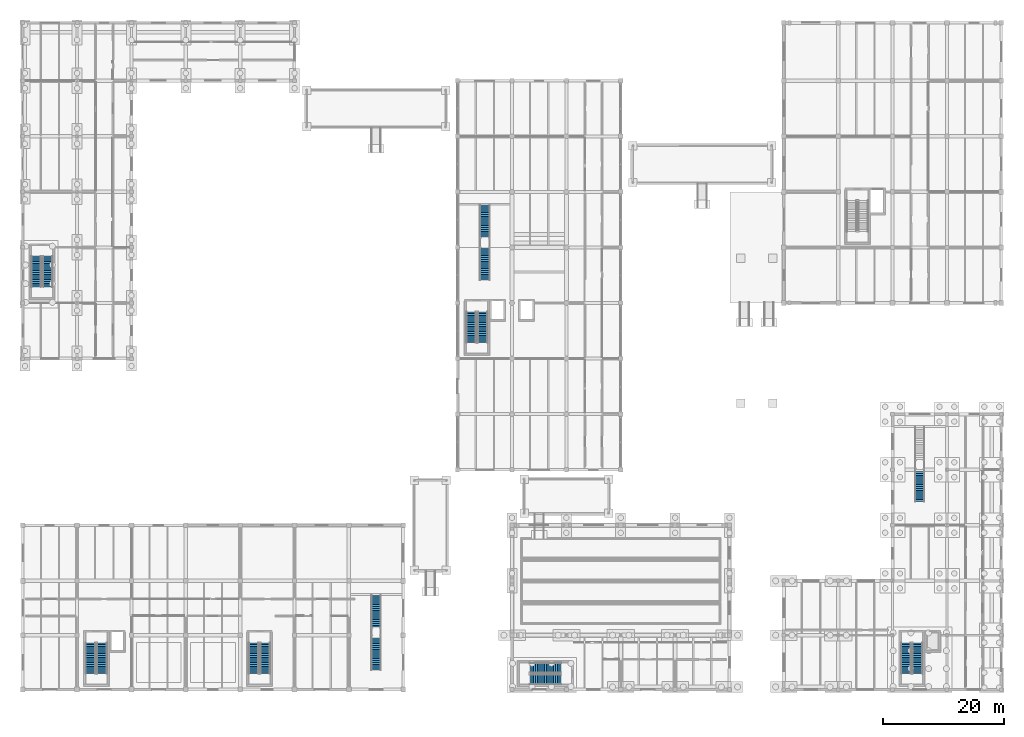
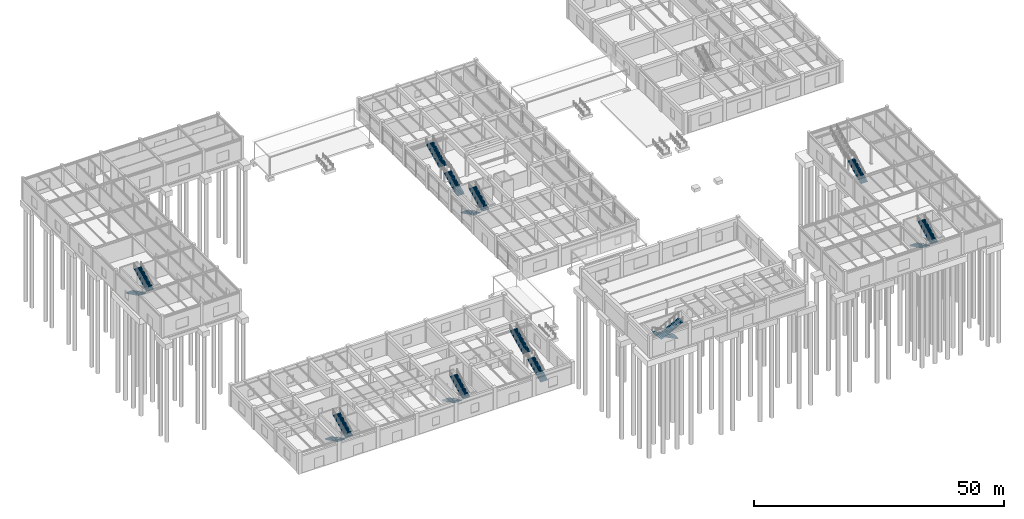
# One storey, part 65 of 76: 17 stair flights, 9 elements without a shape of their own.
"""IFC4 building model written with IfcOpenShell, lengths in metres."""

from ifc_helpers import new_model, si_unit, direction, frame, origin, place, context, subcontext, project, spatial, polyline, outline, extrude, material, type_object, element, aggregate, save


model = new_model("IFC4")

# Units and contexts
model_context = context("Model", 3, precision=1e-05, world=origin(), true_north=direction((0.0, 1.0)))
body_context = subcontext(model_context, "Body", "Model", "MODEL_VIEW")
ifc_project = project(units=[si_unit("LENGTHUNIT", "METRE"), si_unit("AREAUNIT", "SQUARE_METRE"), si_unit("VOLUMEUNIT", "CUBIC_METRE"), si_unit("PLANEANGLEUNIT", "RADIAN"), si_unit("MASSUNIT", "GRAM", prefix="KILO")], contexts=[model_context])

# Site, building, storey
site_placement = place(None, origin())
site = spatial("IfcSite", under=ifc_project, at=site_placement, CompositionType="ELEMENT")
building_placement = place(site_placement, origin())
building = spatial("IfcBuilding", under=site, at=building_placement, Name="Bozkorgan Art Gallery", CompositionType="ELEMENT")
storey_placement = place(building_placement, origin())
storey = spatial("IfcBuildingStorey", under=building, at=storey_placement, Name="L00", CompositionType="ELEMENT", Elevation=0.0)

# Stair, stair flight
ifc_material_1 = material(Name="Steel S355J2", Category="steel")
stair_type_1 = type_object("IfcStairType", Name="FSTAIR-ST11", PredefinedType="STRAIGHT_RUN_STAIR", material=ifc_material_1)
stair_1_placement = place(storey_placement, origin())
stair_1 = element("IfcStair", 1, at=stair_1_placement, inside=storey, type_object=stair_type_1, Name="ST11 Feature Stair (L00 to L01)", PredefinedType="STRAIGHT_RUN_STAIR")
stair_flight_type_1 = type_object("IfcStairFlightType", Name="FSFLT-ST11", PredefinedType="STRAIGHT", material=ifc_material_1)
stair_flight_1_placement = place(storey_placement, frame((150.5, 33.1298828125, 0.0), z_axis=(0.0, 0.0, 1.0), x_axis=(0.0, 1.0, 0.0)))
stair_flight_1 = element("IfcStairFlight", 2, at=stair_flight_1_placement, type_object=stair_flight_type_1, Name="ST11 lower monumental stair flight", NumberOfRisers=18, NumberOfTreads=17, PredefinedType="STRAIGHT", RiserHeight=0.15, TreadLength=0.31, context=body_context, shape_type="SweptSolid", body=[
    extrude(outline(polyline([(0.0, 0.0), (0.0, 0.14990234375), (0.31005859375, 0.14990234375), (0.31005859375, 0.300048828125), (0.6201171875, 0.300048828125), (0.6201171875, 0.449951171875), (0.929931640625, 0.449951171875), (0.929931640625, 0.60009765625), (1.239990234375, 0.60009765625), (1.239990234375, 0.75), (1.550048828125, 0.75), (1.550048828125, 0.89990234375), (1.860107421875, 0.89990234375), (1.860107421875, 1.050048828125), (2.169921875, 1.050048828125), (2.169921875, 1.199951171875), (2.47998046875, 1.199951171875), (2.47998046875, 1.35009765625), (2.7900390625, 1.35009765625), (2.7900390625, 1.5), (3.10009765625, 1.5), (3.10009765625, 1.64990234375), (3.409912109375, 1.64990234375), (3.409912109375, 1.800048828125), (3.719970703125, 1.800048828125), (3.719970703125, 1.949951171875), (4.030029296875, 1.949951171875), (4.030029296875, 2.10009765625), (4.340087890625, 2.10009765625), (4.340087890625, 2.25), (4.64990234375, 2.25), (4.64990234375, 2.39990234375), (4.9599609375, 2.39990234375), (4.9599609375, 2.550048828125), (5.27001953125, 2.550048828125), (5.27001953125, 2.699951171875), (5.27001953125, 2.3056640625), (0.505126953125, 0.0), (0.0, 0.0)])), frame((0.0, 0.7900390625, 0.0), z_axis=(0.0, -1.0, 0.0), x_axis=(1.0, 0.0, 0.0)), (0.0, 0.0, 1.0), 1.580078125),
])
aggregate(stair_1, [stair_flight_1])

# Stair, stair flights
stair_type_2 = type_object("IfcStairType", Name="FSTAIR-ST7", PredefinedType="STRAIGHT_RUN_STAIR", material=ifc_material_1)
stair_2_placement = place(storey_placement, origin())
stair_2 = element("IfcStair", 3, at=stair_2_placement, inside=storey, type_object=stair_type_2, Name="ST7 Feature Stair (L00 to L01)", PredefinedType="STRAIGHT_RUN_STAIR")
stair_flight_type_2 = type_object("IfcStairFlightType", Name="FSFLT-ST7", PredefinedType="STRAIGHT", material=ifc_material_1)
stair_flight_2_placement = place(storey_placement, frame((60.5, 5.260009765625, 0.0), z_axis=(0.0, 0.0, 1.0), x_axis=(0.0, 1.0, 0.0)))
stair_flight_2 = element("IfcStairFlight", 4, at=stair_flight_2_placement, type_object=stair_flight_type_2, Name="ST7 lower monumental stair flight", NumberOfRisers=18, NumberOfTreads=17, PredefinedType="STRAIGHT", RiserHeight=0.15, TreadLength=0.31, context=body_context, shape_type="SweptSolid", body=[
    extrude(outline(polyline([(0.0, 0.0), (0.0, 0.14990234375), (0.31005859375, 0.14990234375), (0.31005859375, 0.300048828125), (0.6201171875, 0.300048828125), (0.6201171875, 0.449951171875), (0.929931640625, 0.449951171875), (0.929931640625, 0.60009765625), (1.239990234375, 0.60009765625), (1.239990234375, 0.75), (1.550048828125, 0.75), (1.550048828125, 0.89990234375), (1.860107421875, 0.89990234375), (1.860107421875, 1.050048828125), (2.169921875, 1.050048828125), (2.169921875, 1.199951171875), (2.47998046875, 1.199951171875), (2.47998046875, 1.35009765625), (2.7900390625, 1.35009765625), (2.7900390625, 1.5), (3.10009765625, 1.5), (3.10009765625, 1.64990234375), (3.409912109375, 1.64990234375), (3.409912109375, 1.800048828125), (3.719970703125, 1.800048828125), (3.719970703125, 1.949951171875), (4.030029296875, 1.949951171875), (4.030029296875, 2.10009765625), (4.340087890625, 2.10009765625), (4.340087890625, 2.25), (4.64990234375, 2.25), (4.64990234375, 2.39990234375), (4.9599609375, 2.39990234375), (4.9599609375, 2.550048828125), (5.27001953125, 2.550048828125), (5.27001953125, 2.699951171875), (5.27001953125, 2.3056640625), (0.505126953125, 0.0), (0.0, 0.0)])), frame((0.0, 0.824951171875, 0.0), z_axis=(0.0, -1.0, 0.0), x_axis=(1.0, 0.0, 0.0)), (0.0, 0.0, 1.0), 1.64990234375),
])
stair_flight_3_placement = place(storey_placement, frame((60.5, 12.330078125, 2.699951171875), z_axis=(0.0, 0.0, 1.0), x_axis=(0.0, 1.0, 0.0)))
stair_flight_3 = element("IfcStairFlight", 5, at=stair_flight_3_placement, type_object=stair_flight_type_2, Name="ST7 upper monumental stair flight", NumberOfRisers=18, NumberOfTreads=17, PredefinedType="STRAIGHT", RiserHeight=0.15, TreadLength=0.31, context=body_context, shape_type="SweptSolid", body=[
    extrude(outline(polyline([(0.0, 0.0), (0.0, 0.14990234375), (0.31005859375, 0.14990234375), (0.31005859375, 0.300048828125), (0.6201171875, 0.300048828125), (0.6201171875, 0.449951171875), (0.929931640625, 0.449951171875), (0.929931640625, 0.60009765625), (1.239990234375, 0.60009765625), (1.239990234375, 0.75), (1.550048828125, 0.75), (1.550048828125, 0.89990234375), (1.860107421875, 0.89990234375), (1.860107421875, 1.050048828125), (2.169921875, 1.050048828125), (2.169921875, 1.199951171875), (2.47998046875, 1.199951171875), (2.47998046875, 1.35009765625), (2.7900390625, 1.35009765625), (2.7900390625, 1.5), (3.10009765625, 1.5), (3.10009765625, 1.64990234375), (3.409912109375, 1.64990234375), (3.409912109375, 1.800048828125), (3.719970703125, 1.800048828125), (3.719970703125, 1.949951171875), (4.030029296875, 1.949951171875), (4.030029296875, 2.10009765625), (4.340087890625, 2.10009765625), (4.340087890625, 2.25), (4.64990234375, 2.25), (4.64990234375, 2.39990234375), (4.9599609375, 2.39990234375), (4.9599609375, 2.550048828125), (5.27001953125, 2.550048828125), (5.27001953125, 2.699951171875), (5.27001953125, 2.3056640625), (0.505126953125, 0.0), (0.0, 0.0)])), frame((0.0, 0.824951171875, 0.0), z_axis=(0.0, -1.0, 0.0), x_axis=(1.0, 0.0, 0.0)), (0.0, 0.0, 1.0), 1.64990234375),
])
aggregate(stair_2, [stair_flight_2, stair_flight_3])

stair_type_3 = type_object("IfcStairType", Name="FSTAIR-ST9", PredefinedType="STRAIGHT_RUN_STAIR", material=ifc_material_1)
stair_3_placement = place(storey_placement, origin())
stair_3 = element("IfcStair", 6, at=stair_3_placement, inside=storey, type_object=stair_type_3, Name="ST9 Feature Stair (L00 to L01)", PredefinedType="STRAIGHT_RUN_STAIR")
stair_flight_type_3 = type_object("IfcStairFlightType", Name="FSFLT-ST9", PredefinedType="STRAIGHT", material=ifc_material_1)
stair_flight_4_placement = place(storey_placement, frame((78.5, 69.81005859375, 0.0), z_axis=(0.0, 0.0, 1.0), x_axis=(0.0, 1.0, 0.0)))
stair_flight_4 = element("IfcStairFlight", 7, at=stair_flight_4_placement, type_object=stair_flight_type_3, Name="ST9 lower monumental stair flight", NumberOfRisers=18, NumberOfTreads=17, PredefinedType="STRAIGHT", RiserHeight=0.15, TreadLength=0.31, context=body_context, shape_type="SweptSolid", body=[
    extrude(outline(polyline([(0.0, 0.0), (0.0, 0.14990234375), (0.31005859375, 0.14990234375), (0.31005859375, 0.300048828125), (0.6201171875, 0.300048828125), (0.6201171875, 0.449951171875), (0.929931640625, 0.449951171875), (0.929931640625, 0.60009765625), (1.239990234375, 0.60009765625), (1.239990234375, 0.75), (1.550048828125, 0.75), (1.550048828125, 0.89990234375), (1.860107421875, 0.89990234375), (1.860107421875, 1.050048828125), (2.169921875, 1.050048828125), (2.169921875, 1.199951171875), (2.47998046875, 1.199951171875), (2.47998046875, 1.35009765625), (2.7900390625, 1.35009765625), (2.7900390625, 1.5), (3.10009765625, 1.5), (3.10009765625, 1.64990234375), (3.409912109375, 1.64990234375), (3.409912109375, 1.800048828125), (3.719970703125, 1.800048828125), (3.719970703125, 1.949951171875), (4.030029296875, 1.949951171875), (4.030029296875, 2.10009765625), (4.340087890625, 2.10009765625), (4.340087890625, 2.25), (4.64990234375, 2.25), (4.64990234375, 2.39990234375), (4.9599609375, 2.39990234375), (4.9599609375, 2.550048828125), (5.27001953125, 2.550048828125), (5.27001953125, 2.699951171875), (5.27001953125, 2.3056640625), (0.505126953125, 0.0), (0.0, 0.0)])), frame((0.0, 0.85009765625, 0.0), z_axis=(0.0, -1.0, 0.0), x_axis=(1.0, 0.0, 0.0)), (0.0, 0.0, 1.0), 1.699951171875),
])
stair_flight_5_placement = place(storey_placement, frame((78.5, 76.929931640625, 2.699951171875), z_axis=(0.0, 0.0, 1.0), x_axis=(0.0, 1.0, 0.0)))
stair_flight_5 = element("IfcStairFlight", 8, at=stair_flight_5_placement, type_object=stair_flight_type_3, Name="ST9 upper monumental stair flight", NumberOfRisers=18, NumberOfTreads=17, PredefinedType="STRAIGHT", RiserHeight=0.15, TreadLength=0.31, context=body_context, shape_type="SweptSolid", body=[
    extrude(outline(polyline([(0.0, 0.0), (0.0, 0.14990234375), (0.31005859375, 0.14990234375), (0.31005859375, 0.300048828125), (0.6201171875, 0.300048828125), (0.6201171875, 0.449951171875), (0.929931640625, 0.449951171875), (0.929931640625, 0.60009765625), (1.239990234375, 0.60009765625), (1.239990234375, 0.75), (1.550048828125, 0.75), (1.550048828125, 0.89990234375), (1.860107421875, 0.89990234375), (1.860107421875, 1.050048828125), (2.169921875, 1.050048828125), (2.169921875, 1.199951171875), (2.47998046875, 1.199951171875), (2.47998046875, 1.35009765625), (2.7900390625, 1.35009765625), (2.7900390625, 1.5), (3.10009765625, 1.5), (3.10009765625, 1.64990234375), (3.409912109375, 1.64990234375), (3.409912109375, 1.800048828125), (3.719970703125, 1.800048828125), (3.719970703125, 1.949951171875), (4.030029296875, 1.949951171875), (4.030029296875, 2.10009765625), (4.340087890625, 2.10009765625), (4.340087890625, 2.25), (4.64990234375, 2.25), (4.64990234375, 2.39990234375), (4.9599609375, 2.39990234375), (4.9599609375, 2.550048828125), (5.27001953125, 2.550048828125), (5.27001953125, 2.699951171875), (5.27001953125, 2.3056640625), (0.505126953125, 0.0), (0.0, 0.0)])), frame((0.0, 0.85009765625, 0.0), z_axis=(0.0, -1.0, 0.0), x_axis=(1.0, 0.0, 0.0)), (0.0, 0.0, 1.0), 1.699951171875),
])
aggregate(stair_3, [stair_flight_4, stair_flight_5])

ifc_material_2 = material(Name="Concrete C35/45", Category="concrete")
stair_type_4 = type_object("IfcStairType", Name="STAIR-CORE1", PredefinedType="HALF_TURN_STAIR", material=ifc_material_2)
stair_4_placement = place(storey_placement, origin())
stair_4 = element("IfcStair", 9, at=stair_4_placement, inside=storey, type_object=stair_type_4, Name="L00 ST1 Core Stair", PredefinedType="HALF_TURN_STAIR")
stair_flight_type_4 = type_object("IfcStairFlightType", Name="SFLT-CORE1", PredefinedType="STRAIGHT", material=ifc_material_2)
stair_flight_6_placement = place(storey_placement, frame((13.25, 9.75, 0.0), z_axis=(0.0, 0.0, 1.0), x_axis=(0.0, -1.0, 0.0)))
stair_flight_6 = element("IfcStairFlight", 10, at=stair_flight_6_placement, type_object=stair_flight_type_4, Name="ST1 flight 1", NumberOfRisers=18, NumberOfTreads=17, PredefinedType="STRAIGHT", RiserHeight=0.15, TreadLength=0.3, context=body_context, shape_type="SweptSolid", body=[
    extrude(outline(polyline([(0.0, 0.0), (0.0, 0.14990234375), (0.300048828125, 0.14990234375), (0.300048828125, 0.300048828125), (0.60009765625, 0.300048828125), (0.60009765625, 0.449951171875), (0.89990234375, 0.449951171875), (0.89990234375, 0.60009765625), (1.199951171875, 0.60009765625), (1.199951171875, 0.75), (1.5, 0.75), (1.5, 0.89990234375), (1.800048828125, 0.89990234375), (1.800048828125, 1.050048828125), (2.10009765625, 1.050048828125), (2.10009765625, 1.199951171875), (2.39990234375, 1.199951171875), (2.39990234375, 1.35009765625), (2.699951171875, 1.35009765625), (2.699951171875, 1.5), (3.0, 1.5), (3.0, 1.64990234375), (3.300048828125, 1.64990234375), (3.300048828125, 1.800048828125), (3.60009765625, 1.800048828125), (3.60009765625, 1.949951171875), (3.89990234375, 1.949951171875), (3.89990234375, 2.10009765625), (4.199951171875, 2.10009765625), (4.199951171875, 2.25), (4.5, 2.25), (4.5, 2.39990234375), (4.800048828125, 2.39990234375), (4.800048828125, 2.550048828125), (5.10009765625, 2.550048828125), (5.10009765625, 2.699951171875), (5.10009765625, 2.38232421875), (0.335205078125, 0.0), (0.0, 0.0)])), frame((0.0, 0.85009765625, 0.0), z_axis=(0.0, -1.0, 0.0), x_axis=(1.0, 0.0, 0.0)), (0.0, 0.0, 1.0), 1.699951171875),
])
stair_flight_7_placement = place(storey_placement, frame((15.14990234375, 4.64990234375, 2.699951171875), z_axis=(0.0, 0.0, 1.0), x_axis=(0.0, 1.0, 0.0)))
stair_flight_7 = element("IfcStairFlight", 11, at=stair_flight_7_placement, type_object=stair_flight_type_4, Name="ST1 flight 2", NumberOfRisers=18, NumberOfTreads=17, PredefinedType="STRAIGHT", RiserHeight=0.15, TreadLength=0.3, context=body_context, shape_type="SweptSolid", body=[
    extrude(outline(polyline([(0.0, 0.0), (0.0, 0.14990234375), (0.300048828125, 0.14990234375), (0.300048828125, 0.300048828125), (0.60009765625, 0.300048828125), (0.60009765625, 0.449951171875), (0.89990234375, 0.449951171875), (0.89990234375, 0.60009765625), (1.199951171875, 0.60009765625), (1.199951171875, 0.75), (1.5, 0.75), (1.5, 0.89990234375), (1.800048828125, 0.89990234375), (1.800048828125, 1.050048828125), (2.10009765625, 1.050048828125), (2.10009765625, 1.199951171875), (2.39990234375, 1.199951171875), (2.39990234375, 1.35009765625), (2.699951171875, 1.35009765625), (2.699951171875, 1.5), (3.0, 1.5), (3.0, 1.64990234375), (3.300048828125, 1.64990234375), (3.300048828125, 1.800048828125), (3.60009765625, 1.800048828125), (3.60009765625, 1.949951171875), (3.89990234375, 1.949951171875), (3.89990234375, 2.10009765625), (4.199951171875, 2.10009765625), (4.199951171875, 2.25), (4.5, 2.25), (4.5, 2.39990234375), (4.800048828125, 2.39990234375), (4.800048828125, 2.550048828125), (5.10009765625, 2.550048828125), (5.10009765625, 2.699951171875), (5.10009765625, 2.38232421875), (0.335205078125, 0.0), (0.0, 0.0)])), frame((0.0, 0.85009765625, 0.0), z_axis=(0.0, -1.0, 0.0), x_axis=(1.0, 0.0, 0.0)), (0.0, 0.0, 1.0), 1.699951171875),
])
aggregate(stair_4, [stair_flight_6, stair_flight_7])

stair_type_5 = type_object("IfcStairType", Name="STAIR-CORE2", PredefinedType="HALF_TURN_STAIR", material=ifc_material_2)
stair_5_placement = place(storey_placement, origin())
stair_5 = element("IfcStair", 12, at=stair_5_placement, inside=storey, type_object=stair_type_5, Name="L00 ST2 Core Stair", PredefinedType="HALF_TURN_STAIR")
stair_flight_type_5 = type_object("IfcStairFlightType", Name="SFLT-CORE2", PredefinedType="STRAIGHT", material=ifc_material_2)
stair_flight_8_placement = place(storey_placement, frame((76.25, 64.550048828125, 0.0), z_axis=(0.0, 0.0, 1.0), x_axis=(0.0, -1.0, 0.0)))
stair_flight_8 = element("IfcStairFlight", 13, at=stair_flight_8_placement, type_object=stair_flight_type_5, Name="ST2 flight 1", NumberOfRisers=18, NumberOfTreads=17, PredefinedType="STRAIGHT", RiserHeight=0.15, TreadLength=0.3, context=body_context, shape_type="SweptSolid", body=[
    extrude(outline(polyline([(0.0, 0.0), (0.0, 0.14990234375), (0.300048828125, 0.14990234375), (0.300048828125, 0.300048828125), (0.60009765625, 0.300048828125), (0.60009765625, 0.449951171875), (0.89990234375, 0.449951171875), (0.89990234375, 0.60009765625), (1.199951171875, 0.60009765625), (1.199951171875, 0.75), (1.5, 0.75), (1.5, 0.89990234375), (1.800048828125, 0.89990234375), (1.800048828125, 1.050048828125), (2.10009765625, 1.050048828125), (2.10009765625, 1.199951171875), (2.39990234375, 1.199951171875), (2.39990234375, 1.35009765625), (2.699951171875, 1.35009765625), (2.699951171875, 1.5), (3.0, 1.5), (3.0, 1.64990234375), (3.300048828125, 1.64990234375), (3.300048828125, 1.800048828125), (3.60009765625, 1.800048828125), (3.60009765625, 1.949951171875), (3.89990234375, 1.949951171875), (3.89990234375, 2.10009765625), (4.199951171875, 2.10009765625), (4.199951171875, 2.25), (4.5, 2.25), (4.5, 2.39990234375), (4.800048828125, 2.39990234375), (4.800048828125, 2.550048828125), (5.10009765625, 2.550048828125), (5.10009765625, 2.699951171875), (5.10009765625, 2.38232421875), (0.335205078125, 0.0), (0.0, 0.0)])), frame((0.0, 0.85009765625, 0.0), z_axis=(0.0, -1.0, 0.0), x_axis=(1.0, 0.0, 0.0)), (0.0, 0.0, 1.0), 1.699951171875),
])
stair_flight_9_placement = place(storey_placement, frame((78.14990234375, 59.449951171875, 2.699951171875), z_axis=(0.0, 0.0, 1.0), x_axis=(0.0, 1.0, 0.0)))
stair_flight_9 = element("IfcStairFlight", 14, at=stair_flight_9_placement, type_object=stair_flight_type_5, Name="ST2 flight 2", NumberOfRisers=18, NumberOfTreads=17, PredefinedType="STRAIGHT", RiserHeight=0.15, TreadLength=0.3, context=body_context, shape_type="SweptSolid", body=[
    extrude(outline(polyline([(0.0, 0.0), (0.0, 0.14990234375), (0.300048828125, 0.14990234375), (0.300048828125, 0.300048828125), (0.60009765625, 0.300048828125), (0.60009765625, 0.449951171875), (0.89990234375, 0.449951171875), (0.89990234375, 0.60009765625), (1.199951171875, 0.60009765625), (1.199951171875, 0.75), (1.5, 0.75), (1.5, 0.89990234375), (1.800048828125, 0.89990234375), (1.800048828125, 1.050048828125), (2.10009765625, 1.050048828125), (2.10009765625, 1.199951171875), (2.39990234375, 1.199951171875), (2.39990234375, 1.35009765625), (2.699951171875, 1.35009765625), (2.699951171875, 1.5), (3.0, 1.5), (3.0, 1.64990234375), (3.300048828125, 1.64990234375), (3.300048828125, 1.800048828125), (3.60009765625, 1.800048828125), (3.60009765625, 1.949951171875), (3.89990234375, 1.949951171875), (3.89990234375, 2.10009765625), (4.199951171875, 2.10009765625), (4.199951171875, 2.25), (4.5, 2.25), (4.5, 2.39990234375), (4.800048828125, 2.39990234375), (4.800048828125, 2.550048828125), (5.10009765625, 2.550048828125), (5.10009765625, 2.699951171875), (5.10009765625, 2.38232421875), (0.335205078125, 0.0), (0.0, 0.0)])), frame((0.0, 0.85009765625, 0.0), z_axis=(0.0, -1.0, 0.0), x_axis=(1.0, 0.0, 0.0)), (0.0, 0.0, 1.0), 1.699951171875),
])
aggregate(stair_5, [stair_flight_8, stair_flight_9])

stair_type_6 = type_object("IfcStairType", Name="STAIR-CORE4", PredefinedType="HALF_TURN_STAIR", material=ifc_material_2)
stair_6_placement = place(storey_placement, origin())
stair_6 = element("IfcStair", 15, at=stair_6_placement, inside=storey, type_object=stair_type_6, Name="L00 ST4 Core Stair", PredefinedType="HALF_TURN_STAIR")
stair_flight_type_6 = type_object("IfcStairFlightType", Name="SFLT-CORE4", PredefinedType="STRAIGHT", material=ifc_material_2)
stair_flight_10_placement = place(storey_placement, frame((148.25, 9.75, 0.0), z_axis=(0.0, 0.0, 1.0), x_axis=(0.0, -1.0, 0.0)))
stair_flight_10 = element("IfcStairFlight", 16, at=stair_flight_10_placement, type_object=stair_flight_type_6, Name="ST4 flight 1", NumberOfRisers=18, NumberOfTreads=17, PredefinedType="STRAIGHT", RiserHeight=0.15, TreadLength=0.3, context=body_context, shape_type="SweptSolid", body=[
    extrude(outline(polyline([(0.0, 0.0), (0.0, 0.14990234375), (0.300048828125, 0.14990234375), (0.300048828125, 0.300048828125), (0.60009765625, 0.300048828125), (0.60009765625, 0.449951171875), (0.89990234375, 0.449951171875), (0.89990234375, 0.60009765625), (1.199951171875, 0.60009765625), (1.199951171875, 0.75), (1.5, 0.75), (1.5, 0.89990234375), (1.800048828125, 0.89990234375), (1.800048828125, 1.050048828125), (2.10009765625, 1.050048828125), (2.10009765625, 1.199951171875), (2.39990234375, 1.199951171875), (2.39990234375, 1.35009765625), (2.699951171875, 1.35009765625), (2.699951171875, 1.5), (3.0, 1.5), (3.0, 1.64990234375), (3.300048828125, 1.64990234375), (3.300048828125, 1.800048828125), (3.60009765625, 1.800048828125), (3.60009765625, 1.949951171875), (3.89990234375, 1.949951171875), (3.89990234375, 2.10009765625), (4.199951171875, 2.10009765625), (4.199951171875, 2.25), (4.5, 2.25), (4.5, 2.39990234375), (4.800048828125, 2.39990234375), (4.800048828125, 2.550048828125), (5.10009765625, 2.550048828125), (5.10009765625, 2.699951171875), (5.10009765625, 2.38232421875), (0.335205078125, 0.0), (0.0, 0.0)])), frame((0.0, 0.85009765625, 0.0), z_axis=(0.0, -1.0, 0.0), x_axis=(1.0, 0.0, 0.0)), (0.0, 0.0, 1.0), 1.699951171875),
])
stair_flight_11_placement = place(storey_placement, frame((150.14990234375, 4.64990234375, 2.699951171875), z_axis=(0.0, 0.0, 1.0), x_axis=(0.0, 1.0, 0.0)))
stair_flight_11 = element("IfcStairFlight", 17, at=stair_flight_11_placement, type_object=stair_flight_type_6, Name="ST4 flight 2", NumberOfRisers=18, NumberOfTreads=17, PredefinedType="STRAIGHT", RiserHeight=0.15, TreadLength=0.3, context=body_context, shape_type="SweptSolid", body=[
    extrude(outline(polyline([(0.0, 0.0), (0.0, 0.14990234375), (0.300048828125, 0.14990234375), (0.300048828125, 0.300048828125), (0.60009765625, 0.300048828125), (0.60009765625, 0.449951171875), (0.89990234375, 0.449951171875), (0.89990234375, 0.60009765625), (1.199951171875, 0.60009765625), (1.199951171875, 0.75), (1.5, 0.75), (1.5, 0.89990234375), (1.800048828125, 0.89990234375), (1.800048828125, 1.050048828125), (2.10009765625, 1.050048828125), (2.10009765625, 1.199951171875), (2.39990234375, 1.199951171875), (2.39990234375, 1.35009765625), (2.699951171875, 1.35009765625), (2.699951171875, 1.5), (3.0, 1.5), (3.0, 1.64990234375), (3.300048828125, 1.64990234375), (3.300048828125, 1.800048828125), (3.60009765625, 1.800048828125), (3.60009765625, 1.949951171875), (3.89990234375, 1.949951171875), (3.89990234375, 2.10009765625), (4.199951171875, 2.10009765625), (4.199951171875, 2.25), (4.5, 2.25), (4.5, 2.39990234375), (4.800048828125, 2.39990234375), (4.800048828125, 2.550048828125), (5.10009765625, 2.550048828125), (5.10009765625, 2.699951171875), (5.10009765625, 2.38232421875), (0.335205078125, 0.0), (0.0, 0.0)])), frame((0.0, 0.85009765625, 0.0), z_axis=(0.0, -1.0, 0.0), x_axis=(1.0, 0.0, 0.0)), (0.0, 0.0, 1.0), 1.699951171875),
])
aggregate(stair_6, [stair_flight_10, stair_flight_11])

stair_type_7 = type_object("IfcStairType", Name="STAIR-CORE5", PredefinedType="HALF_TURN_STAIR", material=ifc_material_2)
stair_7_placement = place(storey_placement, origin())
stair_7 = element("IfcStair", 18, at=stair_7_placement, inside=storey, type_object=stair_type_7, Name="L00 ST5 Core Stair", PredefinedType="HALF_TURN_STAIR")
stair_flight_type_7 = type_object("IfcStairFlightType", Name="SFLT-CORE5", PredefinedType="STRAIGHT", material=ifc_material_2)
stair_flight_12_placement = place(storey_placement, frame((4.25, 73.75, 0.0), z_axis=(0.0, 0.0, 1.0), x_axis=(0.0, -1.0, 0.0)))
stair_flight_12 = element("IfcStairFlight", 19, at=stair_flight_12_placement, type_object=stair_flight_type_7, Name="ST5 flight 1", NumberOfRisers=18, NumberOfTreads=17, PredefinedType="STRAIGHT", RiserHeight=0.15, TreadLength=0.3, context=body_context, shape_type="SweptSolid", body=[
    extrude(outline(polyline([(0.0, 0.0), (0.0, 0.14990234375), (0.300048828125, 0.14990234375), (0.300048828125, 0.300048828125), (0.60009765625, 0.300048828125), (0.60009765625, 0.449951171875), (0.89990234375, 0.449951171875), (0.89990234375, 0.60009765625), (1.199951171875, 0.60009765625), (1.199951171875, 0.75), (1.5, 0.75), (1.5, 0.89990234375), (1.800048828125, 0.89990234375), (1.800048828125, 1.050048828125), (2.10009765625, 1.050048828125), (2.10009765625, 1.199951171875), (2.39990234375, 1.199951171875), (2.39990234375, 1.35009765625), (2.699951171875, 1.35009765625), (2.699951171875, 1.5), (3.0, 1.5), (3.0, 1.64990234375), (3.300048828125, 1.64990234375), (3.300048828125, 1.800048828125), (3.60009765625, 1.800048828125), (3.60009765625, 1.949951171875), (3.89990234375, 1.949951171875), (3.89990234375, 2.10009765625), (4.199951171875, 2.10009765625), (4.199951171875, 2.25), (4.5, 2.25), (4.5, 2.39990234375), (4.800048828125, 2.39990234375), (4.800048828125, 2.550048828125), (5.10009765625, 2.550048828125), (5.10009765625, 2.699951171875), (5.10009765625, 2.38232421875), (0.335205078125, 0.0), (0.0, 0.0)])), frame((0.0, 0.85009765625, 0.0), z_axis=(0.0, -1.0, 0.0), x_axis=(1.0, 0.0, 0.0)), (0.0, 0.0, 1.0), 1.699951171875),
])
stair_flight_13_placement = place(storey_placement, frame((6.14990234375, 68.64990234375, 2.699951171875), z_axis=(0.0, 0.0, 1.0), x_axis=(0.0, 1.0, 0.0)))
stair_flight_13 = element("IfcStairFlight", 20, at=stair_flight_13_placement, type_object=stair_flight_type_7, Name="ST5 flight 2", NumberOfRisers=18, NumberOfTreads=17, PredefinedType="STRAIGHT", RiserHeight=0.15, TreadLength=0.3, context=body_context, shape_type="SweptSolid", body=[
    extrude(outline(polyline([(0.0, 0.0), (0.0, 0.14990234375), (0.300048828125, 0.14990234375), (0.300048828125, 0.300048828125), (0.60009765625, 0.300048828125), (0.60009765625, 0.449951171875), (0.89990234375, 0.449951171875), (0.89990234375, 0.60009765625), (1.199951171875, 0.60009765625), (1.199951171875, 0.75), (1.5, 0.75), (1.5, 0.89990234375), (1.800048828125, 0.89990234375), (1.800048828125, 1.050048828125), (2.10009765625, 1.050048828125), (2.10009765625, 1.199951171875), (2.39990234375, 1.199951171875), (2.39990234375, 1.35009765625), (2.699951171875, 1.35009765625), (2.699951171875, 1.5), (3.0, 1.5), (3.0, 1.64990234375), (3.300048828125, 1.64990234375), (3.300048828125, 1.800048828125), (3.60009765625, 1.800048828125), (3.60009765625, 1.949951171875), (3.89990234375, 1.949951171875), (3.89990234375, 2.10009765625), (4.199951171875, 2.10009765625), (4.199951171875, 2.25), (4.5, 2.25), (4.5, 2.39990234375), (4.800048828125, 2.39990234375), (4.800048828125, 2.550048828125), (5.10009765625, 2.550048828125), (5.10009765625, 2.699951171875), (5.10009765625, 2.38232421875), (0.335205078125, 0.0), (0.0, 0.0)])), frame((0.0, 0.85009765625, 0.0), z_axis=(0.0, -1.0, 0.0), x_axis=(1.0, 0.0, 0.0)), (0.0, 0.0, 1.0), 1.699951171875),
])
aggregate(stair_7, [stair_flight_12, stair_flight_13])

stair_type_8 = type_object("IfcStairType", Name="STAIR-CORE6", PredefinedType="HALF_TURN_STAIR", material=ifc_material_2)
stair_8_placement = place(storey_placement, origin())
stair_8 = element("IfcStair", 21, at=stair_8_placement, inside=storey, type_object=stair_type_8, Name="L00 ST6 Core Stair", PredefinedType="HALF_TURN_STAIR")
stair_flight_type_8 = type_object("IfcStairFlightType", Name="SFLT-CORE6", PredefinedType="STRAIGHT", material=ifc_material_2)
stair_flight_14_placement = place(storey_placement, frame((91.10009765625, 5.60009765625, 0.0), z_axis=(0.0, 0.0, 1.0), x_axis=(-1.0, 0.0, 0.0)))
stair_flight_14 = element("IfcStairFlight", 22, at=stair_flight_14_placement, type_object=stair_flight_type_8, Name="ST6 flight 1", NumberOfRisers=18, NumberOfTreads=17, PredefinedType="STRAIGHT", RiserHeight=0.15, TreadLength=0.3, context=body_context, shape_type="SweptSolid", body=[
    extrude(outline(polyline([(0.0, 0.0), (0.0, 0.14990234375), (0.300048828125, 0.14990234375), (0.300048828125, 0.300048828125), (0.60009765625, 0.300048828125), (0.60009765625, 0.449951171875), (0.89990234375, 0.449951171875), (0.89990234375, 0.60009765625), (1.199951171875, 0.60009765625), (1.199951171875, 0.75), (1.5, 0.75), (1.5, 0.89990234375), (1.800048828125, 0.89990234375), (1.800048828125, 1.050048828125), (2.10009765625, 1.050048828125), (2.10009765625, 1.199951171875), (2.39990234375, 1.199951171875), (2.39990234375, 1.35009765625), (2.699951171875, 1.35009765625), (2.699951171875, 1.5), (3.0, 1.5), (3.0, 1.64990234375), (3.300048828125, 1.64990234375), (3.300048828125, 1.800048828125), (3.60009765625, 1.800048828125), (3.60009765625, 1.949951171875), (3.89990234375, 1.949951171875), (3.89990234375, 2.10009765625), (4.199951171875, 2.10009765625), (4.199951171875, 2.25), (4.5, 2.25), (4.5, 2.39990234375), (4.800048828125, 2.39990234375), (4.800048828125, 2.550048828125), (5.10009765625, 2.550048828125), (5.10009765625, 2.699951171875), (5.10009765625, 2.38232421875), (0.335205078125, 0.0), (0.0, 0.0)])), frame((0.0, 0.85009765625, 0.0), z_axis=(0.0, -1.0, 0.0), x_axis=(1.0, 0.0, 0.0)), (0.0, 0.0, 1.0), 1.699951171875),
])
stair_flight_15_placement = place(storey_placement, frame((86.0, 3.699951171875, 2.699951171875), z_axis=(0.0, 0.0, 1.0), x_axis=(1.0, 0.0, 0.0)))
stair_flight_15 = element("IfcStairFlight", 23, at=stair_flight_15_placement, type_object=stair_flight_type_8, Name="ST6 flight 2", NumberOfRisers=18, NumberOfTreads=17, PredefinedType="STRAIGHT", RiserHeight=0.15, TreadLength=0.3, context=body_context, shape_type="SweptSolid", body=[
    extrude(outline(polyline([(0.0, 0.0), (0.0, 0.14990234375), (0.300048828125, 0.14990234375), (0.300048828125, 0.300048828125), (0.60009765625, 0.300048828125), (0.60009765625, 0.449951171875), (0.89990234375, 0.449951171875), (0.89990234375, 0.60009765625), (1.199951171875, 0.60009765625), (1.199951171875, 0.75), (1.5, 0.75), (1.5, 0.89990234375), (1.800048828125, 0.89990234375), (1.800048828125, 1.050048828125), (2.10009765625, 1.050048828125), (2.10009765625, 1.199951171875), (2.39990234375, 1.199951171875), (2.39990234375, 1.35009765625), (2.699951171875, 1.35009765625), (2.699951171875, 1.5), (3.0, 1.5), (3.0, 1.64990234375), (3.300048828125, 1.64990234375), (3.300048828125, 1.800048828125), (3.60009765625, 1.800048828125), (3.60009765625, 1.949951171875), (3.89990234375, 1.949951171875), (3.89990234375, 2.10009765625), (4.199951171875, 2.10009765625), (4.199951171875, 2.25), (4.5, 2.25), (4.5, 2.39990234375), (4.800048828125, 2.39990234375), (4.800048828125, 2.550048828125), (5.10009765625, 2.550048828125), (5.10009765625, 2.699951171875), (5.10009765625, 2.38232421875), (0.335205078125, 0.0), (0.0, 0.0)])), frame((0.0, 0.85009765625, 0.0), z_axis=(0.0, -1.0, 0.0), x_axis=(1.0, 0.0, 0.0)), (0.0, 0.0, 1.0), 1.699951171875),
])
aggregate(stair_8, [stair_flight_14, stair_flight_15])

stair_type_9 = type_object("IfcStairType", Name="STAIR-CORE7", PredefinedType="HALF_TURN_STAIR", material=ifc_material_2)
stair_9_placement = place(storey_placement, origin())
stair_9 = element("IfcStair", 24, at=stair_9_placement, inside=storey, type_object=stair_type_9, Name="L00 ST12 Core Stair", PredefinedType="HALF_TURN_STAIR")
stair_flight_type_9 = type_object("IfcStairFlightType", Name="SFLT-CORE7", PredefinedType="STRAIGHT", material=ifc_material_2)
stair_flight_16_placement = place(storey_placement, frame((40.25, 9.75, 0.0), z_axis=(0.0, 0.0, 1.0), x_axis=(0.0, -1.0, 0.0)))
stair_flight_16 = element("IfcStairFlight", 25, at=stair_flight_16_placement, type_object=stair_flight_type_9, Name="ST12 flight 1", NumberOfRisers=18, NumberOfTreads=17, PredefinedType="STRAIGHT", RiserHeight=0.15, TreadLength=0.3, context=body_context, shape_type="SweptSolid", body=[
    extrude(outline(polyline([(0.0, 0.0), (0.0, 0.14990234375), (0.300048828125, 0.14990234375), (0.300048828125, 0.300048828125), (0.60009765625, 0.300048828125), (0.60009765625, 0.449951171875), (0.89990234375, 0.449951171875), (0.89990234375, 0.60009765625), (1.199951171875, 0.60009765625), (1.199951171875, 0.75), (1.5, 0.75), (1.5, 0.89990234375), (1.800048828125, 0.89990234375), (1.800048828125, 1.050048828125), (2.10009765625, 1.050048828125), (2.10009765625, 1.199951171875), (2.39990234375, 1.199951171875), (2.39990234375, 1.35009765625), (2.699951171875, 1.35009765625), (2.699951171875, 1.5), (3.0, 1.5), (3.0, 1.64990234375), (3.300048828125, 1.64990234375), (3.300048828125, 1.800048828125), (3.60009765625, 1.800048828125), (3.60009765625, 1.949951171875), (3.89990234375, 1.949951171875), (3.89990234375, 2.10009765625), (4.199951171875, 2.10009765625), (4.199951171875, 2.25), (4.5, 2.25), (4.5, 2.39990234375), (4.800048828125, 2.39990234375), (4.800048828125, 2.550048828125), (5.10009765625, 2.550048828125), (5.10009765625, 2.699951171875), (5.10009765625, 2.38232421875), (0.335205078125, 0.0), (0.0, 0.0)])), frame((0.0, 0.85009765625, 0.0), z_axis=(0.0, -1.0, 0.0), x_axis=(1.0, 0.0, 0.0)), (0.0, 0.0, 1.0), 1.699951171875),
])
stair_flight_17_placement = place(storey_placement, frame((42.14990234375, 4.64990234375, 2.699951171875), z_axis=(0.0, 0.0, 1.0), x_axis=(0.0, 1.0, 0.0)))
stair_flight_17 = element("IfcStairFlight", 26, at=stair_flight_17_placement, type_object=stair_flight_type_9, Name="ST12 flight 2", NumberOfRisers=18, NumberOfTreads=17, PredefinedType="STRAIGHT", RiserHeight=0.15, TreadLength=0.3, context=body_context, shape_type="SweptSolid", body=[
    extrude(outline(polyline([(0.0, 0.0), (0.0, 0.14990234375), (0.300048828125, 0.14990234375), (0.300048828125, 0.300048828125), (0.60009765625, 0.300048828125), (0.60009765625, 0.449951171875), (0.89990234375, 0.449951171875), (0.89990234375, 0.60009765625), (1.199951171875, 0.60009765625), (1.199951171875, 0.75), (1.5, 0.75), (1.5, 0.89990234375), (1.800048828125, 0.89990234375), (1.800048828125, 1.050048828125), (2.10009765625, 1.050048828125), (2.10009765625, 1.199951171875), (2.39990234375, 1.199951171875), (2.39990234375, 1.35009765625), (2.699951171875, 1.35009765625), (2.699951171875, 1.5), (3.0, 1.5), (3.0, 1.64990234375), (3.300048828125, 1.64990234375), (3.300048828125, 1.800048828125), (3.60009765625, 1.800048828125), (3.60009765625, 1.949951171875), (3.89990234375, 1.949951171875), (3.89990234375, 2.10009765625), (4.199951171875, 2.10009765625), (4.199951171875, 2.25), (4.5, 2.25), (4.5, 2.39990234375), (4.800048828125, 2.39990234375), (4.800048828125, 2.550048828125), (5.10009765625, 2.550048828125), (5.10009765625, 2.699951171875), (5.10009765625, 2.38232421875), (0.335205078125, 0.0), (0.0, 0.0)])), frame((0.0, 0.85009765625, 0.0), z_axis=(0.0, -1.0, 0.0), x_axis=(1.0, 0.0, 0.0)), (0.0, 0.0, 1.0), 1.699951171875),
])
aggregate(stair_9, [stair_flight_16, stair_flight_17])

save(model, "model.ifc")
